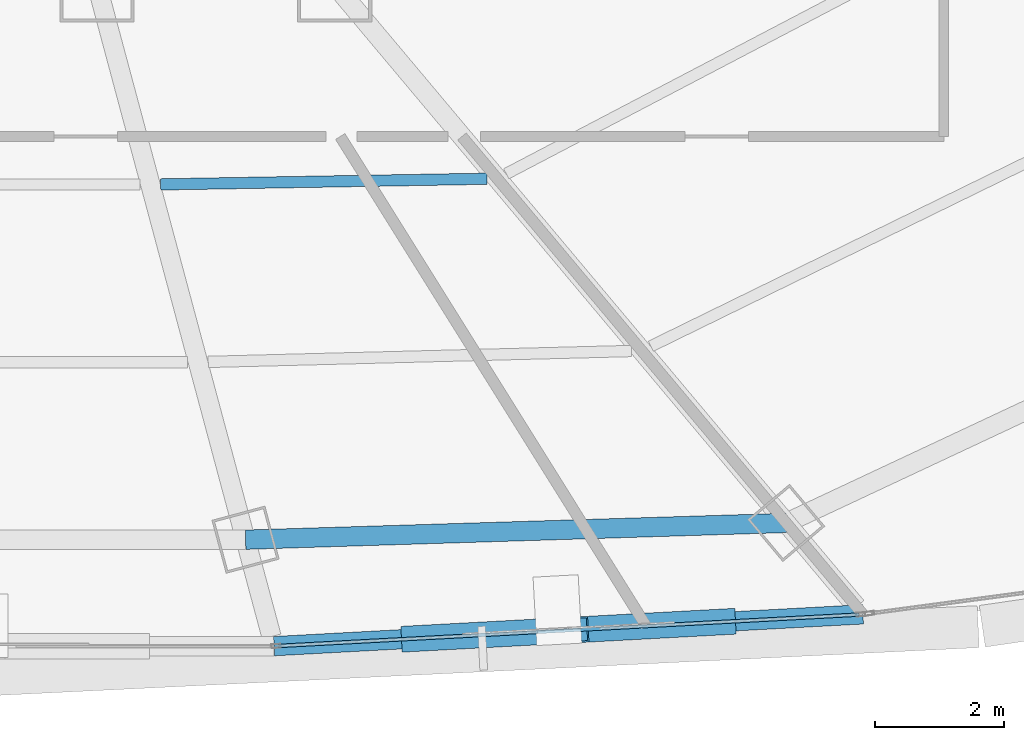
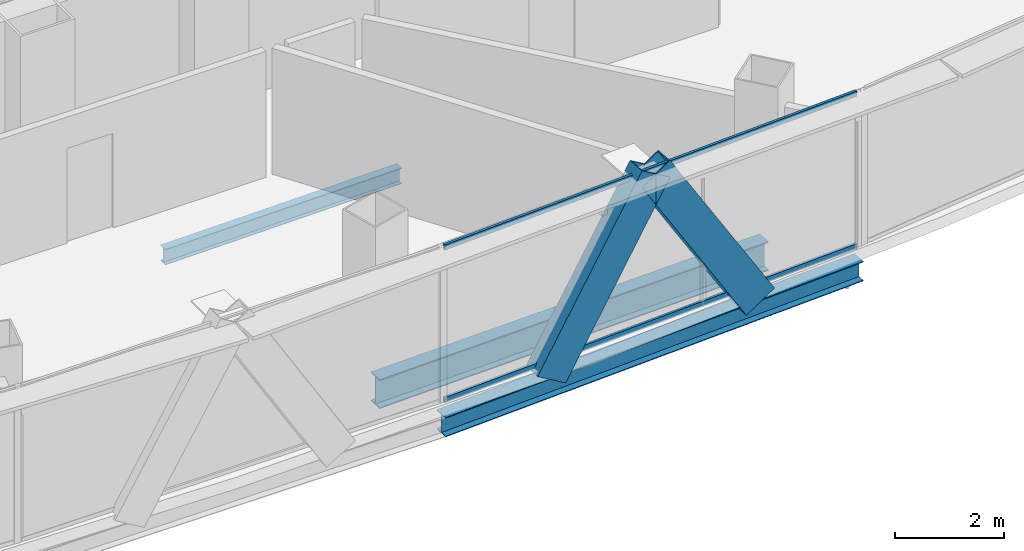
# One storey, part 11 of 37: 4 members, 3 beams, 1 element without a shape of its own.
"""IFC4 building model written with IfcOpenShell, lengths in metres."""

from ifc_helpers import new_model, si_unit, direction, frame, origin, origin_2d, place, context, subcontext, project, spatial, hollow_rectangle, i_section, extrude, source, transform, mapped, material, layer, layer_set, material_profile, profile_set, type_object, element, aggregate, save


model = new_model("IFC4")

# Units and contexts
model_context = context("Model", 3, precision=1e-05, world=origin(), true_north=direction((0.0, 1.0)))
body_context = subcontext(model_context, "Body", "Model", "MODEL_VIEW")
ifc_project = project(units=[si_unit("LENGTHUNIT", "METRE"), si_unit("AREAUNIT", "SQUARE_METRE"), si_unit("VOLUMEUNIT", "CUBIC_METRE"), si_unit("PLANEANGLEUNIT", "RADIAN"), si_unit("MASSUNIT", "GRAM", prefix="KILO"), si_unit("THERMODYNAMICTEMPERATUREUNIT", "KELVIN"), si_unit("POWERUNIT", "WATT")], contexts=[model_context])

# Site, building, storey
site_placement = place(None, origin())
site = spatial("IfcSite", under=ifc_project, at=site_placement, CompositionType="ELEMENT")
building_placement = place(site_placement, origin())
building = spatial("IfcBuilding", under=site, at=building_placement, Name="Yunzhuo Pagoda Commons", CompositionType="ELEMENT")
storey_placement = place(building_placement, frame((0.0, 0.0, 259.449951171875)))
storey = spatial("IfcBuildingStorey", under=building, at=storey_placement, Name="L65", CompositionType="ELEMENT", Elevation=259.449951171875)

# Beams
ifc_material_1 = material(Name="Structural steel Q355B", Category="steel")
ifc_material_profile_1 = material_profile(ifc_material_1, i_section(OverallWidth=0.300048828125, OverallDepth=0.64990234375, WebThickness=0.012939453125, FlangeThickness=0.02197265625, at=origin_2d()), Name="Structural steel Q355B")
ifc_profile_set_1 = profile_set([ifc_material_profile_1], Name="Structural steel Q355B")
beam_type_1 = type_object("IfcBeamType", Name="B-RG2 Beam HN 650x300x13x22", PredefinedType="BEAM", material=ifc_profile_set_1)
shared_shape_1 = source(origin(), body_context, "Body", "SweptSolid", [
    extrude(i_section(OverallWidth=0.300048828125, OverallDepth=0.64990234375, WebThickness=0.012939453125, FlangeThickness=0.02197265625, at=origin_2d()), origin(), (0.0, 0.0, 1.0), 8.37939453125),
])
beam_1_placement = place(storey_placement, frame((52.031494140625, 18.654052734375, -0.5849609375), z_axis=(0.999519382133, 0.031000076447, 0.0), x_axis=(-0.031000076447, 0.999519382133, 0.0)))
element("IfcBeam", 1, at=beam_1_placement, inside=storey, type_object=beam_type_1, Name="L65 column-ring beam 3", PredefinedType="BEAM", context=body_context, shape_type="MappedRepresentation", body=[
    mapped(shared_shape_1, transform((0.0, 0.0, 0.0), scale=1.0)),
])
ifc_material_profile_2 = material_profile(ifc_material_1, i_section(OverallWidth=0.175048828125, OverallDepth=0.35009765625, WebThickness=0.007080078125, FlangeThickness=0.010986328125, at=origin_2d()), Name="Structural steel Q355B")
ifc_profile_set_2 = profile_set([ifc_material_profile_2], Name="Structural steel Q355B")
beam_type_2 = type_object("IfcBeamType", Name="B-JS2 Joist HN 350x175x7x11", PredefinedType="JOIST", material=ifc_profile_set_2)
shared_shape_2 = source(origin(), body_context, "Body", "SweptSolid", [
    extrude(i_section(OverallWidth=0.175048828125, OverallDepth=0.35009765625, WebThickness=0.007080078125, FlangeThickness=0.010986328125, at=origin_2d()), origin(), (0.0, 0.0, 1.0), 5.0556640625),
])
beam_2_placement = place(storey_placement, frame((50.716552734375, 24.158203125, -0.43505859375), z_axis=(0.999848878561, 0.017384477, 0.0), x_axis=(-0.017384477, 0.999848878561, 0.0)))
element("IfcBeam", 2, at=beam_2_placement, inside=storey, type_object=beam_type_2, Name="L65 composite ring joist 1.3", PredefinedType="JOIST", context=body_context, shape_type="MappedRepresentation", body=[
    mapped(shared_shape_2, transform((0.0, 0.0, 0.0), scale=1.0)),
])
ifc_material_profile_3 = material_profile(ifc_material_1, i_section(OverallWidth=0.300048828125, OverallDepth=0.43994140625, WebThickness=0.010986328125, FlangeThickness=0.01806640625, at=origin_2d()), Name="Structural steel Q355B")
ifc_profile_set_3 = profile_set([ifc_material_profile_3], Name="Structural steel Q355B")
beam_type_3 = type_object("IfcBeamType", Name="B-SP2 Beam HM 440x300x11x18", PredefinedType="BEAM", material=ifc_profile_set_3)
shared_shape_3 = source(origin(), body_context, "Body", "SweptSolid", [
    extrude(i_section(OverallWidth=0.300048828125, OverallDepth=0.43994140625, WebThickness=0.010986328125, FlangeThickness=0.01806640625, at=origin_2d()), origin(), (0.0, 0.0, 1.0), 9.13525390625),
])
beam_3_placement = place(storey_placement, frame((52.4736328125, 17.004638671875, -0.47998046875), z_axis=(0.99854316853, 0.053958693286, 0.0), x_axis=(-0.053958693286, 0.99854316853, 0.0)))
element("IfcBeam", 3, at=beam_3_placement, inside=storey, type_object=beam_type_3, Name="L65 facade edge spandrel beam F1.3", PredefinedType="BEAM", context=body_context, shape_type="MappedRepresentation", body=[
    mapped(shared_shape_3, transform((0.0, 0.0, 0.0), scale=1.0)),
])

# Members
ifc_material_profile_4 = material_profile(ifc_material_1, hollow_rectangle(XDim=0.39990234375, YDim=0.719970703125, WallThickness=0.02392578125, at=origin_2d()), Name="Structural steel Q355B")
ifc_profile_set_4 = profile_set([ifc_material_profile_4], Name="Structural steel Q355B")
member_type_1 = type_object("IfcMemberType", Name="M-DL2 Brace BOX 720x400x24", PredefinedType="BRACE", material=ifc_profile_set_4)
shared_shape_4 = source(origin(), body_context, "Body", "SweptSolid", [
    extrude(hollow_rectangle(XDim=0.39990234375, YDim=0.719970703125, WallThickness=0.02392578125, at=origin_2d()), origin(), (0.0, 0.0, 1.0), 4.37353515625),
])
for number, where, z_axis, x_axis, name in (
    (4, (54.754150390625, 17.1279296875, -0.260009765625), (0.521383578645, 0.028134617092, 0.85285849192), (-0.053883063731, 0.998547252484, 0.0), "L65 facade diamond brace F1.3L"),
    (5, (59.31494140625, 17.374267578125, -0.260009765625), (-0.521423404962, -0.028189574939, 0.852832328552), (0.053983900233, -0.998541806093, 0.0), "L65 facade diamond brace F1.3R"),
):
    element("IfcMember", number, at=place(storey_placement, frame(where, z_axis=z_axis, x_axis=x_axis)), inside=storey, type_object=member_type_1, Name=name, PredefinedType="BRACE", context=body_context, shape_type="MappedRepresentation", body=[
        mapped(shared_shape_4, transform((0.0, 0.0, 0.0), scale=1.0)),
    ])

# Curtain wall, members
ifc_material_2 = material(Name="Anodized aluminium 6063-T6", Category="aluminium")
ifc_layer = layer(ifc_material_2, 0.139892578125)
ifc_layer_set = layer_set([ifc_layer], Name="Anodized aluminium 6063-T6")
curtain_wall_type = type_object("IfcCurtainWallType", Name="CW-HI High-Zone Ribbon Curtain Wall", PredefinedType="NOTDEFINED", material=ifc_layer_set)
curtain_wall_placement = place(storey_placement, origin())
curtain_wall = element("IfcCurtainWall", 6, at=curtain_wall_placement, inside=storey, type_object=curtain_wall_type, Name="L65 curtain wall CW-L65-F1B4", PredefinedType="NOTDEFINED")
ifc_material_profile_5 = material_profile(ifc_material_2, hollow_rectangle(XDim=0.054931640625, YDim=0.1201171875, WallThickness=0.00341796875, at=origin_2d()), Name="Anodized aluminium 6063-T6")
ifc_profile_set_5 = profile_set([ifc_material_profile_5], Name="Anodized aluminium 6063-T6")
member_type_2 = type_object("IfcMemberType", Name="CW-HI-T Transom RHS 120x55x3.5", PredefinedType="USERDEFINED", material=ifc_profile_set_5)
shared_shape_5 = source(origin(), body_context, "Body", "SweptSolid", [
    extrude(hollow_rectangle(XDim=0.054931640625, YDim=0.1201171875, WallThickness=0.00341796875, at=origin_2d()), origin(), (0.0, 0.0, 1.0), 9.015625),
])
member_1_placement = place(storey_placement, frame((52.533447265625, 17.007568359375, 0.027587890625), z_axis=(0.998542549388, 0.053970149724, 0.0), x_axis=(-0.053970149724, 0.998542549388, 0.0)))
member_1 = element("IfcMember", 7, at=member_1_placement, type_object=member_type_2, Name="CW transom 1.1", ObjectType="TRANSOM", PredefinedType="USERDEFINED", context=body_context, shape_type="MappedRepresentation", body=[
    mapped(shared_shape_5, transform((0.0, 0.0, 0.0), scale=1.0)),
])
member_2_placement = place(storey_placement, frame((52.533447265625, 17.007568359375, 3.442626953125), z_axis=(0.998542549388, 0.053970149724, 0.0), x_axis=(-0.053970149724, 0.998542549388, 0.0)))
member_2 = element("IfcMember", 8, at=member_2_placement, type_object=member_type_2, Name="CW transom 1.2", ObjectType="TRANSOM", PredefinedType="USERDEFINED", context=body_context, shape_type="MappedRepresentation", body=[
    mapped(shared_shape_5, transform((0.0, 0.0, 0.0), scale=1.0)),
])
aggregate(curtain_wall, [member_1, member_2])

save(model, "model.ifc")
